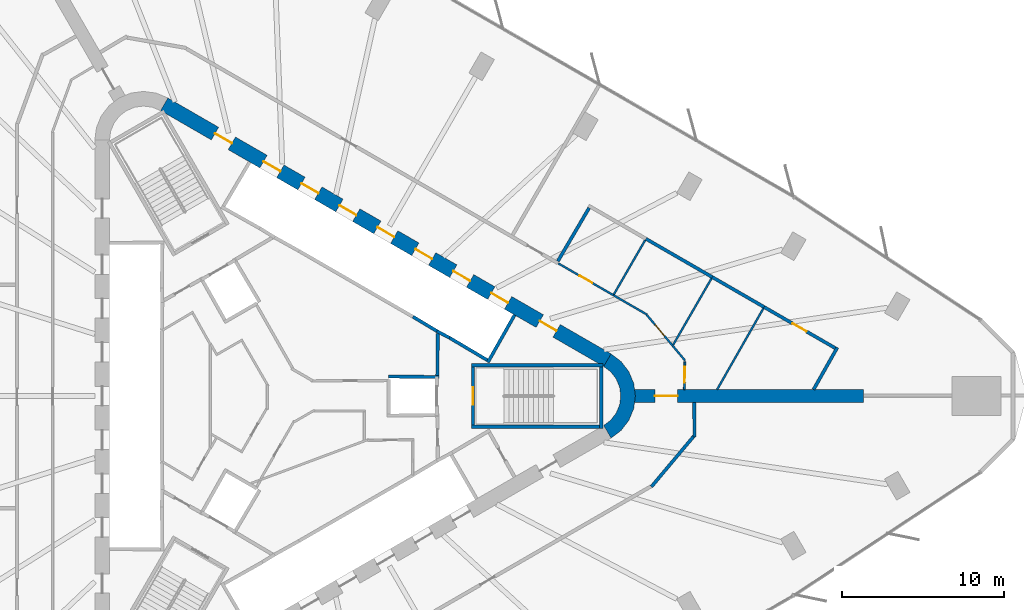
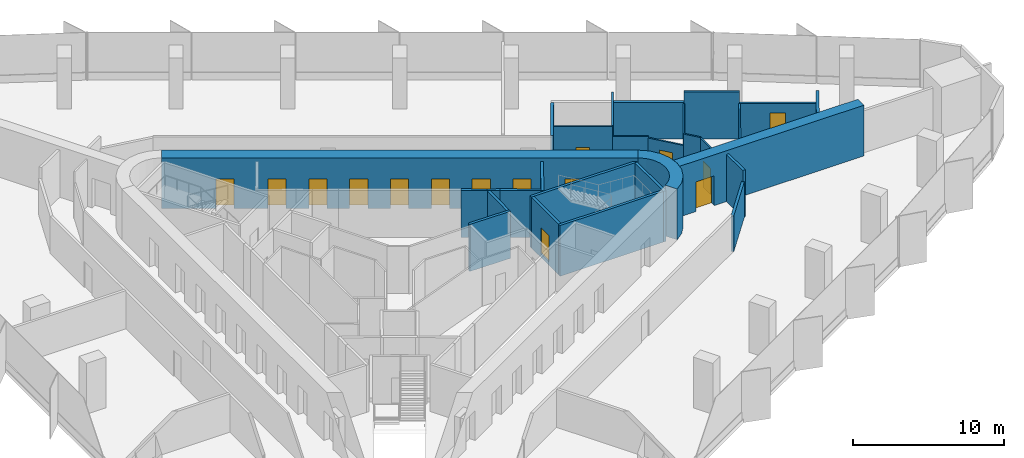
# One storey, part 12 of 14: 28 walls, 15 doors, 15 openings.
"""IFC4 building model written with IfcOpenShell, lengths in metres."""

from ifc_helpers import new_model, si_unit, direction, frame, frame_2d, origin, place, context, subcontext, project, spatial, polyline, rectangle, outline, extrude, material, layer, layer_set, type_object, element, fill, save


model = new_model("IFC4")

# Units and contexts
model_context = context("Model", 3, precision=1e-05, world=origin(), true_north=direction((0.0, 1.0)))
body_context = subcontext(model_context, "Body", "Model", "MODEL_VIEW")
ifc_project = project(units=[si_unit("LENGTHUNIT", "METRE"), si_unit("AREAUNIT", "SQUARE_METRE"), si_unit("VOLUMEUNIT", "CUBIC_METRE"), si_unit("PLANEANGLEUNIT", "RADIAN"), si_unit("MASSUNIT", "GRAM", prefix="KILO")], contexts=[model_context])

# Site, building, storey
site_placement = place(None, origin())
site = spatial("IfcSite", under=ifc_project, at=site_placement, CompositionType="ELEMENT")
building_placement = place(site_placement, origin())
building = spatial("IfcBuilding", under=site, at=building_placement, Name="Tanit Gate Tower", CompositionType="ELEMENT")
storey_placement = place(building_placement, frame((0.0, 0.0, 53.699951171875)))
storey = spatial("IfcBuildingStorey", under=building, at=storey_placement, Name="L09", CompositionType="ELEMENT", Elevation=53.699951171875)

# Wall, opening, door
ifc_material_1 = material(Name="Concrete C60/75", Category="concrete")
ifc_layer_1 = layer(ifc_material_1, 0.800048828125)
ifc_layer_set_1 = layer_set([ifc_layer_1], Name="BUTTRESS FIN 800 C60/75")
wall_type_1 = type_object("IfcWallType", Name="BUTTRESS FIN 800 C60/75", PredefinedType="SHEAR", material=ifc_layer_set_1)
wall_1_placement = place(storey_placement, frame((21.14990234375, 0.0, 0.0), z_axis=(0.0, 0.0, 1.0), x_axis=(1.0, 0.0, 0.0)))
wall_1 = element("IfcWall", 1, at=wall_1_placement, inside=storey, type_object=wall_type_1, Name="BUTTRESS FIN", PredefinedType="SHEAR", context=body_context, shape_type="SweptSolid", body=[
    extrude(rectangle(XDim=14.09814453125, YDim=0.800048828125, at=frame_2d((7.049072265625, 0.0))), origin(), (0.0, 0.0, 1.0), 4.10009765625),
])
opening_1_placement = place(wall_1_placement, frame((1.25, 0.0, 0.0)))
opening_1 = element("IfcOpeningElement", 2, at=opening_1_placement, cuts=wall_1, Name="Opening P14-S00-F-E-1", PredefinedType="OPENING", context=body_context, shape_type="SweptSolid", body=[
    extrude(rectangle(XDim=1.39990234375, YDim=2.39990234375, at=frame_2d((0.699951171875, 1.199951171875))), frame((0.0, 0.41015625, 0.0), z_axis=(0.0, -1.0, 0.0), x_axis=(1.0, 0.0, 0.0)), (0.0, 0.0, 1.0), 0.820068359375),
])
ifc_material_2 = material(Name="Timber door leaf", Category="wood")
door_type_1 = type_object("IfcDoorType", Name="INT-DOOR-FIN-PAIR-1400", OperationType="NOTDEFINED", PredefinedType="NOTDEFINED", material=ifc_material_2)
door_1_placement = place(opening_1_placement, origin())
door_1 = element("IfcDoor", 3, at=door_1_placement, inside=storey, type_object=door_type_1, Name="Door P14-S00-F-E-1", OperationType="DOUBLE_DOOR_SINGLE_SWING", OverallHeight=2.39990234375, OverallWidth=1.39990234375, PredefinedType="NOTDEFINED", context=body_context, shape_type="SweptSolid", body=[
    extrude(rectangle(XDim=1.39990234375, YDim=2.39990234375, at=frame_2d((0.699951171875, 1.199951171875))), frame((0.0, 0.02490234375, 0.0), z_axis=(0.0, -1.0, 0.0), x_axis=(1.0, 0.0, 0.0)), (0.0, 0.0, 1.0), 0.050048828125),
])
fill(opening_1, door_1)

# Wall, openings, doors
ifc_material_3 = material(Name="Concrete C60/75", Category="concrete")
ifc_layer_2 = layer(ifc_material_3, 0.89990234375)
ifc_layer_set_2 = layer_set([ifc_layer_2], Name="CORE WALL 900 C60/75")
wall_type_2 = type_object("IfcWallType", Name="CORE WALL 900 C60/75", PredefinedType="SHEAR", material=ifc_layer_set_2)
wall_2_placement = place(storey_placement, frame((19.47509765625, 2.20849609375, 0.0), z_axis=(0.0, 0.0, 1.0), x_axis=(-0.866028369851, 0.499994862586, 0.0)))
wall_2 = element("IfcWall", 4, at=wall_2_placement, inside=storey, type_object=wall_type_2, Name="CORE WALL", PredefinedType="SHEAR", context=body_context, shape_type="SweptSolid", body=[
    extrude(rectangle(XDim=31.523193359375, YDim=0.89990234375, at=frame_2d((15.76171875, 0.0))), origin(), (0.0, 0.0, 1.0), 4.10009765625),
])
opening_2_placement = place(wall_2_placement, frame((7.0615234375, 0.0, 0.0)))
opening_2 = element("IfcOpeningElement", 5, at=opening_2_placement, cuts=wall_2, Name="Opening LDLL8-S00", PredefinedType="OPENING", context=body_context, shape_type="SweptSolid", body=[
    extrude(rectangle(XDim=1.199951171875, YDim=2.39990234375, at=frame_2d((0.60009765625, 1.199951171875))), frame((0.0, 0.4599609375, 0.0), z_axis=(0.0, -1.0, 0.0), x_axis=(1.0, 0.0, 0.0)), (0.0, 0.0, 1.0), 0.919921875),
])
opening_3_placement = place(wall_2_placement, frame((9.76171875, 0.0, 0.0)))
opening_3 = element("IfcOpeningElement", 6, at=opening_3_placement, cuts=wall_2, Name="Opening LDLL9-S00", PredefinedType="OPENING", context=body_context, shape_type="SweptSolid", body=[
    extrude(rectangle(XDim=1.199951171875, YDim=2.39990234375, at=frame_2d((0.60009765625, 1.199951171875))), frame((0.0, 0.4599609375, 0.0), z_axis=(0.0, -1.0, 0.0), x_axis=(1.0, 0.0, 0.0)), (0.0, 0.0, 1.0), 0.919921875),
])
opening_4_placement = place(wall_2_placement, frame((12.461669921875, 0.0, 0.0)))
opening_4 = element("IfcOpeningElement", 7, at=opening_4_placement, cuts=wall_2, Name="Opening LDLL10-S00", PredefinedType="OPENING", context=body_context, shape_type="SweptSolid", body=[
    extrude(rectangle(XDim=1.199951171875, YDim=2.39990234375, at=frame_2d((0.60009765625, 1.199951171875))), frame((0.0, 0.4599609375, 0.0), z_axis=(0.0, -1.0, 0.0), x_axis=(1.0, 0.0, 0.0)), (0.0, 0.0, 1.0), 0.919921875),
])
opening_5_placement = place(wall_2_placement, frame((15.16162109375, 0.0, 0.0)))
opening_5 = element("IfcOpeningElement", 8, at=opening_5_placement, cuts=wall_2, Name="Opening LDSL1-S00", PredefinedType="OPENING", context=body_context, shape_type="SweptSolid", body=[
    extrude(rectangle(XDim=1.199951171875, YDim=2.39990234375, at=frame_2d((0.60009765625, 1.199951171875))), frame((0.0, 0.4599609375, 0.0), z_axis=(0.0, -1.0, 0.0), x_axis=(1.0, 0.0, 0.0)), (0.0, 0.0, 1.0), 0.919921875),
])
opening_6_placement = place(wall_2_placement, frame((17.861572265625, 0.0, 0.0)))
opening_6 = element("IfcOpeningElement", 9, at=opening_6_placement, cuts=wall_2, Name="Opening LDSL2-S00", PredefinedType="OPENING", context=body_context, shape_type="SweptSolid", body=[
    extrude(rectangle(XDim=1.199951171875, YDim=2.39990234375, at=frame_2d((0.60009765625, 1.199951171875))), frame((0.0, 0.4599609375, 0.0), z_axis=(0.0, -1.0, 0.0), x_axis=(1.0, 0.0, 0.0)), (0.0, 0.0, 1.0), 0.919921875),
])
opening_7_placement = place(wall_2_placement, frame((20.5615234375, 0.0, 0.0)))
opening_7 = element("IfcOpeningElement", 10, at=opening_7_placement, cuts=wall_2, Name="Opening LDSL3-S00", PredefinedType="OPENING", context=body_context, shape_type="SweptSolid", body=[
    extrude(rectangle(XDim=1.199951171875, YDim=2.39990234375, at=frame_2d((0.60009765625, 1.199951171875))), frame((0.0, 0.4599609375, 0.0), z_axis=(0.0, -1.0, 0.0), x_axis=(1.0, 0.0, 0.0)), (0.0, 0.0, 1.0), 0.919921875),
])
opening_8_placement = place(wall_2_placement, frame((23.26171875, 0.0, 0.0)))
opening_8 = element("IfcOpeningElement", 11, at=opening_8_placement, cuts=wall_2, Name="Opening LDSL4-S00", PredefinedType="OPENING", context=body_context, shape_type="SweptSolid", body=[
    extrude(rectangle(XDim=1.199951171875, YDim=2.39990234375, at=frame_2d((0.60009765625, 1.199951171875))), frame((0.0, 0.4599609375, 0.0), z_axis=(0.0, -1.0, 0.0), x_axis=(1.0, 0.0, 0.0)), (0.0, 0.0, 1.0), 0.919921875),
])
opening_9_placement = place(wall_2_placement, frame((3.611572265625, 0.0, 0.0)))
opening_9 = element("IfcOpeningElement", 12, at=opening_9_placement, cuts=wall_2, Name="Opening F12-S00-FL1", PredefinedType="OPENING", context=body_context, shape_type="SweptSolid", body=[
    extrude(rectangle(XDim=1.199951171875, YDim=2.39990234375, at=frame_2d((0.60009765625, 1.199951171875))), frame((0.0, 0.4599609375, 0.0), z_axis=(0.0, -1.0, 0.0), x_axis=(1.0, 0.0, 0.0)), (0.0, 0.0, 1.0), 0.919921875),
])
opening_10_placement = place(wall_2_placement, frame((26.711669921875, 0.0, 0.0)))
opening_10 = element("IfcOpeningElement", 13, at=opening_10_placement, cuts=wall_2, Name="Opening F12-S00-S2", PredefinedType="OPENING", context=body_context, shape_type="SweptSolid", body=[
    extrude(rectangle(XDim=1.199951171875, YDim=2.39990234375, at=frame_2d((0.60009765625, 1.199951171875))), frame((0.0, 0.4599609375, 0.0), z_axis=(0.0, -1.0, 0.0), x_axis=(1.0, 0.0, 0.0)), (0.0, 0.0, 1.0), 0.919921875),
])
ifc_material_4 = material(Name="Fire-rated steel door leaf", Category="steel")
door_type_2 = type_object("IfcDoorType", Name="INT-DOOR-FIRE-LOBBY-1200", OperationType="NOTDEFINED", PredefinedType="USERDEFINED", material=ifc_material_4)
door_2_placement = place(opening_9_placement, origin())
door_2 = element("IfcDoor", 14, at=door_2_placement, inside=storey, type_object=door_type_2, Name="Door F12-S00-FL1", ObjectType="FIRE DOOR", OperationType="SINGLE_SWING_LEFT", OverallHeight=2.39990234375, OverallWidth=1.199951171875, PredefinedType="USERDEFINED", context=body_context, shape_type="SweptSolid", body=[
    extrude(rectangle(XDim=1.199951171875, YDim=2.39990234375, at=frame_2d((0.60009765625, 1.199951171875))), frame((0.0, 0.02490234375, 0.0), z_axis=(0.0, -1.0, 0.0), x_axis=(1.0, 0.0, 0.0)), (0.0, 0.0, 1.0), 0.050048828125),
])
fill(opening_9, door_2)
door_3_placement = place(opening_10_placement, origin())
door_3 = element("IfcDoor", 15, at=door_3_placement, inside=storey, type_object=door_type_2, Name="Door F12-S00-S2", ObjectType="FIRE DOOR", OperationType="SINGLE_SWING_RIGHT", OverallHeight=2.39990234375, OverallWidth=1.199951171875, PredefinedType="USERDEFINED", context=body_context, shape_type="SweptSolid", body=[
    extrude(rectangle(XDim=1.199951171875, YDim=2.39990234375, at=frame_2d((0.60009765625, 1.199951171875))), frame((0.0, 0.02490234375, 0.0), z_axis=(0.0, -1.0, 0.0), x_axis=(1.0, 0.0, 0.0)), (0.0, 0.0, 1.0), 0.050048828125),
])
fill(opening_10, door_3)
ifc_material_5 = material(Name="Stainless steel sliding door leaf", Category="steel")
door_type_3 = type_object("IfcDoorType", Name="INT-DOOR-LANDING-1200", OperationType="NOTDEFINED", PredefinedType="USERDEFINED", material=ifc_material_5)
door_4_placement = place(opening_2_placement, origin())
door_4 = element("IfcDoor", 16, at=door_4_placement, inside=storey, type_object=door_type_3, Name="Door LDLL8-S00", ObjectType="LANDING DOOR", OperationType="SLIDING_TO_LEFT", OverallHeight=2.39990234375, OverallWidth=1.199951171875, PredefinedType="USERDEFINED", context=body_context, shape_type="SweptSolid", body=[
    extrude(rectangle(XDim=1.199951171875, YDim=2.39990234375, at=frame_2d((0.60009765625, 1.199951171875))), frame((0.0, 0.02490234375, 0.0), z_axis=(0.0, -1.0, 0.0), x_axis=(1.0, 0.0, 0.0)), (0.0, 0.0, 1.0), 0.050048828125),
])
fill(opening_2, door_4)
door_5_placement = place(opening_3_placement, origin())
door_5 = element("IfcDoor", 17, at=door_5_placement, inside=storey, type_object=door_type_3, Name="Door LDLL9-S00", ObjectType="LANDING DOOR", OperationType="SLIDING_TO_LEFT", OverallHeight=2.39990234375, OverallWidth=1.199951171875, PredefinedType="USERDEFINED", context=body_context, shape_type="SweptSolid", body=[
    extrude(rectangle(XDim=1.199951171875, YDim=2.39990234375, at=frame_2d((0.60009765625, 1.199951171875))), frame((0.0, 0.02490234375, 0.0), z_axis=(0.0, -1.0, 0.0), x_axis=(1.0, 0.0, 0.0)), (0.0, 0.0, 1.0), 0.050048828125),
])
fill(opening_3, door_5)
door_6_placement = place(opening_4_placement, origin())
door_6 = element("IfcDoor", 18, at=door_6_placement, inside=storey, type_object=door_type_3, Name="Door LDLL10-S00", ObjectType="LANDING DOOR", OperationType="SLIDING_TO_LEFT", OverallHeight=2.39990234375, OverallWidth=1.199951171875, PredefinedType="USERDEFINED", context=body_context, shape_type="SweptSolid", body=[
    extrude(rectangle(XDim=1.199951171875, YDim=2.39990234375, at=frame_2d((0.60009765625, 1.199951171875))), frame((0.0, 0.02490234375, 0.0), z_axis=(0.0, -1.0, 0.0), x_axis=(1.0, 0.0, 0.0)), (0.0, 0.0, 1.0), 0.050048828125),
])
fill(opening_4, door_6)
door_7_placement = place(opening_5_placement, origin())
door_7 = element("IfcDoor", 19, at=door_7_placement, inside=storey, type_object=door_type_3, Name="Door LDSL1-S00", ObjectType="LANDING DOOR", OperationType="SLIDING_TO_LEFT", OverallHeight=2.39990234375, OverallWidth=1.199951171875, PredefinedType="USERDEFINED", context=body_context, shape_type="SweptSolid", body=[
    extrude(rectangle(XDim=1.199951171875, YDim=2.39990234375, at=frame_2d((0.60009765625, 1.199951171875))), frame((0.0, 0.02490234375, 0.0), z_axis=(0.0, -1.0, 0.0), x_axis=(1.0, 0.0, 0.0)), (0.0, 0.0, 1.0), 0.050048828125),
])
fill(opening_5, door_7)
door_8_placement = place(opening_6_placement, origin())
door_8 = element("IfcDoor", 20, at=door_8_placement, inside=storey, type_object=door_type_3, Name="Door LDSL2-S00", ObjectType="LANDING DOOR", OperationType="SLIDING_TO_LEFT", OverallHeight=2.39990234375, OverallWidth=1.199951171875, PredefinedType="USERDEFINED", context=body_context, shape_type="SweptSolid", body=[
    extrude(rectangle(XDim=1.199951171875, YDim=2.39990234375, at=frame_2d((0.60009765625, 1.199951171875))), frame((0.0, 0.02490234375, 0.0), z_axis=(0.0, -1.0, 0.0), x_axis=(1.0, 0.0, 0.0)), (0.0, 0.0, 1.0), 0.050048828125),
])
fill(opening_6, door_8)
door_9_placement = place(opening_7_placement, origin())
door_9 = element("IfcDoor", 21, at=door_9_placement, inside=storey, type_object=door_type_3, Name="Door LDSL3-S00", ObjectType="LANDING DOOR", OperationType="SLIDING_TO_LEFT", OverallHeight=2.39990234375, OverallWidth=1.199951171875, PredefinedType="USERDEFINED", context=body_context, shape_type="SweptSolid", body=[
    extrude(rectangle(XDim=1.199951171875, YDim=2.39990234375, at=frame_2d((0.60009765625, 1.199951171875))), frame((0.0, 0.02490234375, 0.0), z_axis=(0.0, -1.0, 0.0), x_axis=(1.0, 0.0, 0.0)), (0.0, 0.0, 1.0), 0.050048828125),
])
fill(opening_7, door_9)
door_10_placement = place(opening_8_placement, origin())
door_10 = element("IfcDoor", 22, at=door_10_placement, inside=storey, type_object=door_type_3, Name="Door LDSL4-S00", ObjectType="LANDING DOOR", OperationType="SLIDING_TO_LEFT", OverallHeight=2.39990234375, OverallWidth=1.199951171875, PredefinedType="USERDEFINED", context=body_context, shape_type="SweptSolid", body=[
    extrude(rectangle(XDim=1.199951171875, YDim=2.39990234375, at=frame_2d((0.60009765625, 1.199951171875))), frame((0.0, 0.02490234375, 0.0), z_axis=(0.0, -1.0, 0.0), x_axis=(1.0, 0.0, 0.0)), (0.0, 0.0, 1.0), 0.050048828125),
])
fill(opening_8, door_10)

# Walls
wall_3_placement = place(storey_placement, origin())
element("IfcWall", 23, at=wall_3_placement, inside=storey, type_object=wall_type_2, Name="CORE WALL CORNER", PredefinedType="SHEAR", context=body_context, shape_type="SweptSolid", body=[
    extrude(outline(polyline([(19.699951171875, -2.59814453125), (20.3212890625, -2.121337890625), (20.798095703125, -1.5), (21.097900390625, -0.776611328125), (21.199951171875, 0.0), (21.097900390625, 0.776611328125), (20.798095703125, 1.5), (20.3212890625, 2.121337890625), (19.699951171875, 2.59814453125), (19.25, 1.818603515625), (19.684814453125, 1.48486328125), (20.018798828125, 1.050048828125), (20.228515625, 0.54345703125), (20.300048828125, 0.0), (20.228515625, -0.54345703125), (20.018798828125, -1.050048828125), (19.684814453125, -1.48486328125), (19.25, -1.818603515625), (19.699951171875, -2.59814453125)])), origin(), (0.0, 0.0, 1.0), 4.10009765625),
])
ifc_material_6 = material(Name="Fire-rated gypsum board partition")
ifc_layer_3 = layer(ifc_material_6, 0.199951171875)
ifc_layer_set_3 = layer_set([ifc_layer_3], Name="INT-WALL-COMPARTMENT")
wall_type_3 = type_object("IfcWallType", Name="INT-WALL-COMPARTMENT", PredefinedType="PARTITIONING", material=ifc_layer_set_3)
wall_4_placement = place(storey_placement, frame((9.0009765625, 1.27001953125, 0.0), z_axis=(0.0, 0.0, 1.0), x_axis=(0.010784614026, 0.999941844359, 0.0)))
element("IfcWall", 24, at=wall_4_placement, inside=storey, type_object=wall_type_3, Name="Wall Compartment W059", PredefinedType="PARTITIONING", context=body_context, shape_type="SweptSolid", body=[
    extrude(rectangle(XDim=2.580810546875, YDim=0.199951171875, at=frame_2d((1.29052734375, 0.0))), origin(), (0.0, 0.0, 1.0), 3.800048828125),
])
wall_5_placement = place(storey_placement, frame((24.84765625, -2.53515625, 0.0), z_axis=(0.0, 0.0, 1.0), x_axis=(-0.012347560796, 0.999923765965, 0.0)))
element("IfcWall", 25, at=wall_5_placement, inside=storey, type_object=wall_type_3, Name="Wall Compartment W109", PredefinedType="PARTITIONING", context=body_context, shape_type="SweptSolid", body=[
    extrude(rectangle(XDim=2.135498046875, YDim=0.199951171875, at=frame_2d((1.06787109375, 0.0))), origin(), (0.0, 0.0, 1.0), 3.800048828125),
])
wall_6_placement = place(storey_placement, frame((22.184814453125, -5.5908203125, 0.0), z_axis=(0.0, 0.0, 1.0), x_axis=(0.642774966428, 0.766055051894, 0.0)))
element("IfcWall", 26, at=wall_6_placement, inside=storey, type_object=wall_type_3, Name="Wall Compartment W110", PredefinedType="PARTITIONING", context=body_context, shape_type="SweptSolid", body=[
    extrude(rectangle(XDim=4.091552734375, YDim=0.199951171875, at=frame_2d((2.0458984375, 0.0))), origin(), (0.0, 0.0, 1.0), 2.880126953125),
])
wall_7_placement = place(storey_placement, frame((21.849853515625, 9.682373046875, 0.0), z_axis=(0.0, 0.0, 1.0), x_axis=(0.866018431725, -0.500012075767, 0.0)))
element("IfcWall", 27, at=wall_7_placement, inside=storey, type_object=wall_type_3, Name="Wall Compartment W126", PredefinedType="PARTITIONING", context=body_context, shape_type="SweptSolid", body=[
    extrude(rectangle(XDim=4.71875, YDim=0.199951171875, at=frame_2d((2.359375, 0.0))), origin(), (0.0, 0.0, 1.0), 2.97998046875),
])
wall_8_placement = place(storey_placement, frame((25.936279296875, 7.322998046875, 0.0), z_axis=(0.0, 0.0, 1.0), x_axis=(0.866035727774, -0.499982117899, 0.0)))
element("IfcWall", 28, at=wall_8_placement, inside=storey, type_object=wall_type_3, Name="Wall Compartment W127", PredefinedType="PARTITIONING", context=body_context, shape_type="SweptSolid", body=[
    extrude(rectangle(XDim=3.689697265625, YDim=0.199951171875, at=frame_2d((1.8447265625, 0.0))), origin(), (0.0, 0.0, 1.0), 3.800048828125),
])

# Wall, opening, door
wall_9_placement = place(storey_placement, frame((29.131591796875, 5.478271484375, 0.0), z_axis=(0.0, 0.0, 1.0), x_axis=(0.866009287374, -0.500027913402, 0.0)))
wall_9 = element("IfcWall", 29, at=wall_9_placement, inside=storey, type_object=wall_type_3, Name="Wall Compartment W129", PredefinedType="PARTITIONING", context=body_context, shape_type="SweptSolid", body=[
    extrude(rectangle(XDim=5.050537109375, YDim=0.199951171875, at=frame_2d((2.525390625, 0.0))), origin(), (0.0, 0.0, 1.0), 2.880126953125),
])
opening_11_placement = place(wall_9_placement, frame((2.025390625, 0.0, 0.0)))
opening_11 = element("IfcOpeningElement", 30, at=opening_11_placement, cuts=wall_9, Name="Opening F10-S00-20", PredefinedType="OPENING", context=body_context, shape_type="SweptSolid", body=[
    extrude(rectangle(XDim=1.0, YDim=2.10009765625, at=frame_2d((0.5, 1.050048828125))), frame((0.0, 0.10986328125, 0.0), z_axis=(0.0, -1.0, 0.0), x_axis=(1.0, 0.0, 0.0)), (0.0, 0.0, 1.0), 0.219970703125),
])
ifc_material_7 = material(Name="Fire-rated steel door leaf", Category="steel")
door_type_4 = type_object("IfcDoorType", Name="INT-DOOR-FIRE-1000", OperationType="NOTDEFINED", PredefinedType="USERDEFINED", material=ifc_material_7)
door_11_placement = place(opening_11_placement, origin())
door_11 = element("IfcDoor", 31, at=door_11_placement, inside=storey, type_object=door_type_4, Name="Door F10-S00-20", ObjectType="FIRE DOOR", OperationType="SINGLE_SWING_RIGHT", OverallHeight=2.10009765625, OverallWidth=1.0, PredefinedType="USERDEFINED", context=body_context, shape_type="SweptSolid", body=[
    extrude(rectangle(XDim=1.0, YDim=2.10009765625, at=frame_2d((0.5, 1.050048828125))), frame((0.0, 0.02490234375, 0.0), z_axis=(0.0, -1.0, 0.0), x_axis=(1.0, 0.0, 0.0)), (0.0, 0.0, 1.0), 0.050048828125),
])
fill(opening_11, door_11)

# Walls
wall_10_placement = place(storey_placement, frame((18.351318359375, 11.586669921875, 0.0), z_axis=(0.0, 0.0, 1.0), x_axis=(-0.506482355277, -0.862250325482, 0.0)))
element("IfcWall", 32, at=wall_10_placement, inside=storey, type_object=wall_type_3, Name="Wall Compartment W125", PredefinedType="PARTITIONING", context=body_context, shape_type="SweptSolid", body=[
    extrude(rectangle(XDim=3.81005859375, YDim=0.199951171875, at=frame_2d((1.905029296875, 0.0))), origin(), (0.0, 0.0, 1.0), 2.97998046875),
])
wall_11_placement = place(storey_placement, frame((32.1767578125, 0.39990234375, 0.0), z_axis=(0.0, 0.0, 1.0), x_axis=(0.492157292939, 0.870506288895, 0.0)))
element("IfcWall", 33, at=wall_11_placement, inside=storey, type_object=wall_type_3, Name="Wall Compartment W128", PredefinedType="PARTITIONING", context=body_context, shape_type="SweptSolid", body=[
    extrude(rectangle(XDim=2.975341796875, YDim=0.199951171875, at=frame_2d((1.48779296875, 0.0))), origin(), (0.0, 0.0, 1.0), 3.800048828125),
])
ifc_material_8 = material(Name="Gypsum board partition")
ifc_layer_4 = layer(ifc_material_8, 0.1201171875)
ifc_layer_set_4 = layer_set([ifc_layer_4], Name="INT-WALL-PARTITION")
wall_type_4 = type_object("IfcWallType", Name="INT-WALL-PARTITION", PredefinedType="PARTITIONING", material=ifc_layer_set_4)
wall_12_placement = place(storey_placement, frame((21.909423828125, 5.017578125, 0.0), z_axis=(0.0, 0.0, 1.0), x_axis=(-0.866054279967, 0.499949981648, 0.0)))
element("IfcWall", 34, at=wall_12_placement, inside=storey, type_object=wall_type_4, Name="Wall Partition W105", PredefinedType="PARTITIONING", context=body_context, shape_type="SweptSolid", body=[
    extrude(rectangle(XDim=2.384033203125, YDim=0.1201171875, at=frame_2d((1.19189453125, 0.0))), origin(), (0.0, 0.0, 1.0), 2.97998046875),
])

# Wall, opening, door
wall_13_placement = place(storey_placement, frame((19.8447265625, 6.20947265625, 0.0), z_axis=(0.0, 0.0, 1.0), x_axis=(-0.866002635216, 0.500039434245, 0.0)))
wall_13 = element("IfcWall", 35, at=wall_13_placement, inside=storey, type_object=wall_type_4, Name="Wall Partition W104", PredefinedType="PARTITIONING", context=body_context, shape_type="SweptSolid", body=[
    extrude(rectangle(XDim=3.911376953125, YDim=0.1201171875, at=frame_2d((1.95556640625, 0.0))), origin(), (0.0, 0.0, 1.0), 3.800048828125),
])
opening_12_placement = place(wall_13_placement, frame((1.505615234375, 0.0, 0.0)))
opening_12 = element("IfcOpeningElement", 36, at=opening_12_placement, cuts=wall_13, Name="Opening D09-S00-17", PredefinedType="OPENING", context=body_context, shape_type="SweptSolid", body=[
    extrude(rectangle(XDim=0.89990234375, YDim=2.10009765625, at=frame_2d((0.449951171875, 1.050048828125))), frame((0.0, 0.070068359375, 0.0), z_axis=(0.0, -1.0, 0.0), x_axis=(1.0, 0.0, 0.0)), (0.0, 0.0, 1.0), 0.14013671875),
])
ifc_material_9 = material(Name="Timber door leaf", Category="wood")
door_type_5 = type_object("IfcDoorType", Name="INT-DOOR-SINGLE-900", OperationType="NOTDEFINED", PredefinedType="NOTDEFINED", material=ifc_material_9)
door_12_placement = place(opening_12_placement, origin())
door_12 = element("IfcDoor", 37, at=door_12_placement, inside=storey, type_object=door_type_5, Name="Door D09-S00-17", OperationType="SINGLE_SWING_RIGHT", OverallHeight=2.10009765625, OverallWidth=0.89990234375, PredefinedType="NOTDEFINED", context=body_context, shape_type="SweptSolid", body=[
    extrude(rectangle(XDim=0.89990234375, YDim=2.10009765625, at=frame_2d((0.449951171875, 1.050048828125))), frame((0.0, 0.02490234375, 0.0), z_axis=(0.0, -1.0, 0.0), x_axis=(1.0, 0.0, 0.0)), (0.0, 0.0, 1.0), 0.050048828125),
])
fill(opening_12, door_12)

# Wall
wall_14_placement = place(storey_placement, frame((24.260498046875, 2.18359375, 0.0), z_axis=(0.0, 0.0, 1.0), x_axis=(-0.642765036977, 0.766063383304, 0.0)))
element("IfcWall", 38, at=wall_14_placement, inside=storey, type_object=wall_type_4, Name="Wall Partition W107", PredefinedType="PARTITIONING", context=body_context, shape_type="SweptSolid", body=[
    extrude(rectangle(XDim=1.18017578125, YDim=0.1201171875, at=frame_2d((0.590087890625, 0.0))), origin(), (0.0, 0.0, 1.0), 3.800048828125),
])

# Wall, opening, door
wall_15_placement = place(storey_placement, frame((23.501953125, 3.087646484375, 0.0), z_axis=(0.0, 0.0, 1.0), x_axis=(-0.642756581794, 0.766070477541, 0.0)))
wall_15 = element("IfcWall", 39, at=wall_15_placement, inside=storey, type_object=wall_type_4, Name="Wall Partition W106", PredefinedType="PARTITIONING", context=body_context, shape_type="SweptSolid", body=[
    extrude(rectangle(XDim=2.49853515625, YDim=0.1201171875, at=frame_2d((1.249267578125, 0.0))), origin(), (0.0, 0.0, 1.0), 2.880126953125),
])
opening_13_placement = place(wall_15_placement, frame((0.79931640625, 0.0, 0.0)))
opening_13 = element("IfcOpeningElement", 40, at=opening_13_placement, cuts=wall_15, Name="Opening D09-S00-18", PredefinedType="OPENING", context=body_context, shape_type="SweptSolid", body=[
    extrude(rectangle(XDim=0.89990234375, YDim=2.10009765625, at=frame_2d((0.449951171875, 1.050048828125))), frame((0.0, 0.070068359375, 0.0), z_axis=(0.0, -1.0, 0.0), x_axis=(1.0, 0.0, 0.0)), (0.0, 0.0, 1.0), 0.14013671875),
])
door_13_placement = place(opening_13_placement, origin())
door_13 = element("IfcDoor", 41, at=door_13_placement, inside=storey, type_object=door_type_5, Name="Door D09-S00-18", OperationType="SINGLE_SWING_RIGHT", OverallHeight=2.10009765625, OverallWidth=0.89990234375, PredefinedType="NOTDEFINED", context=body_context, shape_type="SweptSolid", body=[
    extrude(rectangle(XDim=0.89990234375, YDim=2.10009765625, at=frame_2d((0.449951171875, 1.050048828125))), frame((0.0, 0.02490234375, 0.0), z_axis=(0.0, -1.0, 0.0), x_axis=(1.0, 0.0, 0.0)), (0.0, 0.0, 1.0), 0.050048828125),
])
fill(opening_13, door_13)

wall_16_placement = place(storey_placement, frame((24.2216796875, 0.39990234375, 0.0), z_axis=(0.0, 0.0, 1.0), x_axis=(0.013570178926, 0.999907920883, 0.0)))
wall_16 = element("IfcWall", 42, at=wall_16_placement, inside=storey, type_object=wall_type_4, Name="Wall Partition W108", PredefinedType="PARTITIONING", context=body_context, shape_type="SweptSolid", body=[
    extrude(rectangle(XDim=1.709228515625, YDim=0.1201171875, at=frame_2d((0.8544921875, 0.0))), origin(), (0.0, 0.0, 1.0), 3.800048828125),
])
opening_14_placement = place(wall_16_placement, frame((0.404541015625, 0.0, 0.0)))
opening_14 = element("IfcOpeningElement", 43, at=opening_14_placement, cuts=wall_16, Name="Opening D10-S00-19", PredefinedType="OPENING", context=body_context, shape_type="SweptSolid", body=[
    extrude(rectangle(XDim=1.0, YDim=2.10009765625, at=frame_2d((0.5, 1.050048828125))), frame((0.0, 0.070068359375, 0.0), z_axis=(0.0, -1.0, 0.0), x_axis=(1.0, 0.0, 0.0)), (0.0, 0.0, 1.0), 0.14013671875),
])
ifc_material_10 = material(Name="Timber door leaf", Category="wood")
door_type_6 = type_object("IfcDoorType", Name="INT-DOOR-SINGLE-1000", OperationType="NOTDEFINED", PredefinedType="NOTDEFINED", material=ifc_material_10)
door_14_placement = place(opening_14_placement, origin())
door_14 = element("IfcDoor", 44, at=door_14_placement, inside=storey, type_object=door_type_6, Name="Door D10-S00-19", OperationType="SINGLE_SWING_LEFT", OverallHeight=2.10009765625, OverallWidth=1.0, PredefinedType="NOTDEFINED", context=body_context, shape_type="SweptSolid", body=[
    extrude(rectangle(XDim=1.0, YDim=2.10009765625, at=frame_2d((0.5, 1.050048828125))), frame((0.0, 0.02490234375, 0.0), z_axis=(0.0, -1.0, 0.0), x_axis=(1.0, 0.0, 0.0)), (0.0, 0.0, 1.0), 0.050048828125),
])
fill(opening_14, door_14)

# Walls
wall_17_placement = place(storey_placement, frame((21.7998046875, 9.595703125, 0.0), z_axis=(0.0, 0.0, 1.0), x_axis=(-0.500006057782, -0.866021906294, 0.0)))
element("IfcWall", 45, at=wall_17_placement, inside=storey, type_object=wall_type_4, Name="Wall Partition W131", PredefinedType="PARTITIONING", context=body_context, shape_type="SweptSolid", body=[
    extrude(rectangle(XDim=3.85009765625, YDim=0.1201171875, at=frame_2d((1.925048828125, 0.0))), origin(), (0.0, 0.0, 1.0), 3.800048828125),
])
wall_18_placement = place(storey_placement, frame((25.88623046875, 7.236328125, 0.0), z_axis=(0.0, 0.0, 1.0), x_axis=(-0.500001678427, -0.866024434742, 0.0)))
element("IfcWall", 46, at=wall_18_placement, inside=storey, type_object=wall_type_4, Name="Wall Partition W132", PredefinedType="PARTITIONING", context=body_context, shape_type="SweptSolid", body=[
    extrude(rectangle(XDim=4.7177734375, YDim=0.1201171875, at=frame_2d((2.35888671875, 0.0))), origin(), (0.0, 0.0, 1.0), 2.880126953125),
])
wall_19_placement = place(storey_placement, frame((29.08203125, 5.391357421875, 0.0), z_axis=(0.0, 0.0, 1.0), x_axis=(-0.495278409735, -0.868734307398, 0.0)))
element("IfcWall", 47, at=wall_19_placement, inside=storey, type_object=wall_type_4, Name="Wall Partition W133", PredefinedType="PARTITIONING", context=body_context, shape_type="SweptSolid", body=[
    extrude(rectangle(XDim=5.74560546875, YDim=0.1201171875, at=frame_2d((2.872802734375, 0.0))), origin(), (0.0, 0.0, 1.0), 2.880126953125),
])
ifc_material_11 = material(Name="Gypsum shaft wall system")
ifc_layer_5 = layer(ifc_material_11, 0.199951171875)
ifc_layer_set_5 = layer_set([ifc_layer_5], Name="INT-WALL-SHAFT")
wall_type_5 = type_object("IfcWallType", Name="INT-WALL-SHAFT", PredefinedType="PLUMBINGWALL", material=ifc_layer_set_5)
wall_20_placement = place(storey_placement, frame((12.10986328125, 2.07275390625, 0.0), z_axis=(0.0, 0.0, 1.0), x_axis=(0.49196600604, 0.870614408852, 0.0)))
element("IfcWall", 48, at=wall_20_placement, inside=storey, type_object=wall_type_5, Name="Wall Shaft W013", PredefinedType="PLUMBINGWALL", context=body_context, shape_type="SweptSolid", body=[
    extrude(rectangle(XDim=3.35009765625, YDim=0.199951171875, at=frame_2d((1.675048828125, 0.0))), origin(), (0.0, 0.0, 1.0), 3.800048828125),
])
wall_21_placement = place(storey_placement, frame((12.072998046875, 2.2109375, 0.0), z_axis=(0.0, 0.0, 1.0), x_axis=(-0.860438357912, 0.509554542943, 0.0)))
element("IfcWall", 49, at=wall_21_placement, inside=storey, type_object=wall_type_5, Name="Wall Shaft W014", PredefinedType="PLUMBINGWALL", context=body_context, shape_type="SweptSolid", body=[
    extrude(rectangle(XDim=2.700439453125, YDim=0.199951171875, at=frame_2d((1.35009765625, 0.0))), origin(), (0.0, 0.0, 1.0), 3.800048828125),
])
wall_22_placement = place(storey_placement, frame((9.74755859375, 3.583251953125, 0.0), z_axis=(0.0, 0.0, 1.0), x_axis=(-0.880917147855, 0.473270513147, 0.0)))
element("IfcWall", 50, at=wall_22_placement, inside=storey, type_object=wall_type_5, Name="Wall Shaft W015", PredefinedType="PLUMBINGWALL", context=body_context, shape_type="SweptSolid", body=[
    extrude(rectangle(XDim=0.8779296875, YDim=0.199951171875, at=frame_2d((0.43896484375, 0.0))), origin(), (0.0, 0.0, 1.0), 3.800048828125),
])
wall_23_placement = place(storey_placement, frame((9.0791015625, 3.93701171875, 0.0), z_axis=(0.0, 0.0, 1.0), x_axis=(-0.857516281273, 0.51445682749, 0.0)))
element("IfcWall", 51, at=wall_23_placement, inside=storey, type_object=wall_type_5, Name="Wall Shaft W016", PredefinedType="PLUMBINGWALL", context=body_context, shape_type="SweptSolid", body=[
    extrude(rectangle(XDim=1.8447265625, YDim=0.199951171875, at=frame_2d((0.92236328125, 0.0))), origin(), (0.0, 0.0, 1.0), 3.800048828125),
])
wall_24_placement = place(storey_placement, frame((6.0, 1.199951171875, 0.0), z_axis=(0.0, 0.0, 1.0), x_axis=(0.999949988, -0.010001074852, 0.0)))
element("IfcWall", 52, at=wall_24_placement, inside=storey, type_object=wall_type_5, Name="Wall Shaft W038", PredefinedType="PLUMBINGWALL", context=body_context, shape_type="SweptSolid", body=[
    extrude(rectangle(XDim=3.100341796875, YDim=0.199951171875, at=frame_2d((1.55029296875, 0.0))), origin(), (0.0, 0.0, 1.0), 3.800048828125),
])
ifc_material_12 = material(Name="Concrete C40/50", Category="concrete")
ifc_layer_6 = layer(ifc_material_12, 0.199951171875)
ifc_layer_set_6 = layer_set([ifc_layer_6], Name="INT-WALL-STAIR")
wall_type_6 = type_object("IfcWallType", Name="INT-WALL-STAIR", PredefinedType="SHEAR", material=ifc_layer_set_6)
wall_25_placement = place(storey_placement, frame((19.199951171875, 1.89990234375, -0.300048828125), z_axis=(0.0, 0.0, 1.0), x_axis=(-1.0, 0.0, 0.0)))
element("IfcWall", 53, at=wall_25_placement, inside=storey, type_object=wall_type_6, Name="Wall Stair W033", PredefinedType="SHEAR", context=body_context, shape_type="SweptSolid", body=[
    extrude(rectangle(XDim=8.099853515625, YDim=0.199951171875, at=frame_2d((4.0498046875, 0.0))), origin(), (0.0, 0.0, 1.0), 4.10009765625),
])
wall_26_placement = place(storey_placement, frame((19.10009765625, -2.0, -0.300048828125), z_axis=(0.0, 0.0, 1.0), x_axis=(0.0, 1.0, 0.0)))
element("IfcWall", 54, at=wall_26_placement, inside=storey, type_object=wall_type_6, Name="Wall Stair W034", PredefinedType="SHEAR", context=body_context, shape_type="SweptSolid", body=[
    extrude(rectangle(XDim=3.800048828125, YDim=0.199951171875, at=frame_2d((1.89990234375, 0.0))), origin(), (0.0, 0.0, 1.0), 4.10009765625),
])
wall_27_placement = place(storey_placement, frame((11.10009765625, -1.89990234375, -0.300048828125), z_axis=(0.0, 0.0, 1.0), x_axis=(1.0, 0.0, 0.0)))
element("IfcWall", 55, at=wall_27_placement, inside=storey, type_object=wall_type_6, Name="Wall Stair W035", PredefinedType="SHEAR", context=body_context, shape_type="SweptSolid", body=[
    extrude(rectangle(XDim=7.89990234375, YDim=0.199951171875, at=frame_2d((3.949951171875, 0.0))), origin(), (0.0, 0.0, 1.0), 4.10009765625),
])

# Wall, opening, door
wall_28_placement = place(storey_placement, frame((11.199951171875, -1.800048828125, -0.300048828125), z_axis=(0.0, 0.0, 1.0), x_axis=(0.0, 1.0, 0.0)))
wall_28 = element("IfcWall", 56, at=wall_28_placement, inside=storey, type_object=wall_type_6, Name="Wall Stair W036", PredefinedType="SHEAR", context=body_context, shape_type="SweptSolid", body=[
    extrude(rectangle(XDim=3.60009765625, YDim=0.199951171875, at=frame_2d((1.800048828125, 0.0))), origin(), (0.0, 0.0, 1.0), 4.10009765625),
])
opening_15_placement = place(wall_28_placement, frame((1.25, 0.0, 0.300048828125)))
opening_15 = element("IfcOpeningElement", 57, at=opening_15_placement, cuts=wall_28, Name="Opening S11-S00-01", PredefinedType="OPENING", context=body_context, shape_type="SweptSolid", body=[
    extrude(rectangle(XDim=1.10009765625, YDim=2.10009765625, at=frame_2d((0.550048828125, 1.050048828125))), frame((0.0, 0.10986328125, 0.0), z_axis=(0.0, -1.0, 0.0), x_axis=(1.0, 0.0, 0.0)), (0.0, 0.0, 1.0), 0.219970703125),
])
ifc_material_13 = material(Name="Timber door leaf", Category="wood")
door_type_7 = type_object("IfcDoorType", Name="INT-DOOR-STAIR-1100", OperationType="NOTDEFINED", PredefinedType="USERDEFINED", material=ifc_material_13)
door_15_placement = place(opening_15_placement, origin())
door_15 = element("IfcDoor", 58, at=door_15_placement, inside=storey, type_object=door_type_7, Name="Door S11-S00-01", ObjectType="FIRE DOOR", OperationType="SINGLE_SWING_LEFT", OverallHeight=2.10009765625, OverallWidth=1.10009765625, PredefinedType="USERDEFINED", context=body_context, shape_type="SweptSolid", body=[
    extrude(rectangle(XDim=1.10009765625, YDim=2.10009765625, at=frame_2d((0.550048828125, 1.050048828125))), frame((0.0, 0.02490234375, 0.0), z_axis=(0.0, -1.0, 0.0), x_axis=(1.0, 0.0, 0.0)), (0.0, 0.0, 1.0), 0.050048828125),
])
fill(opening_15, door_15)

save(model, "model.ifc")
